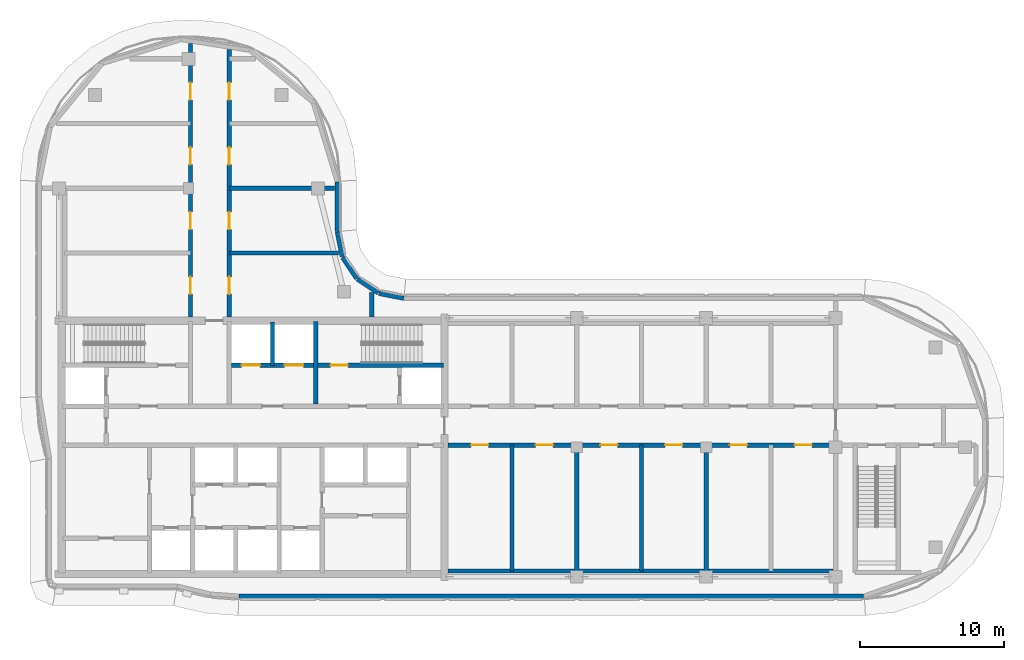
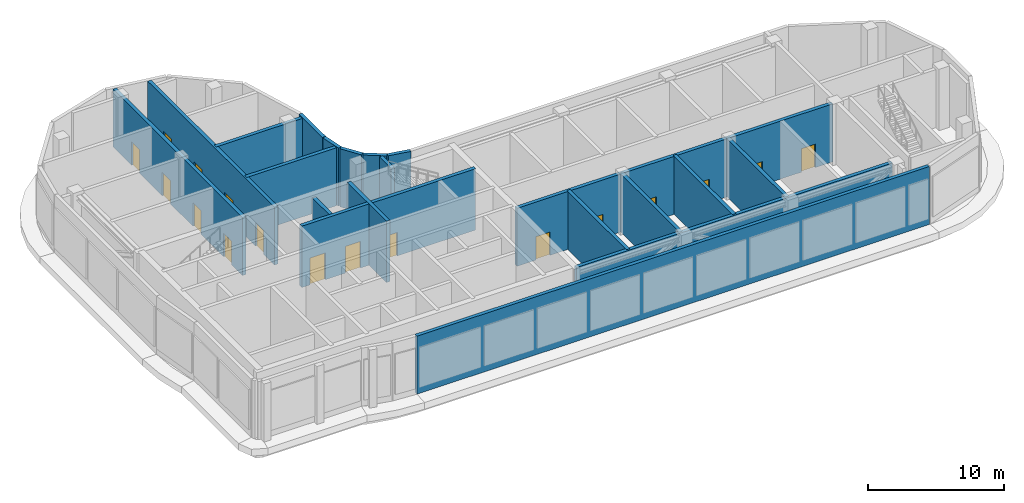
# One storey, part 3 of 14: 20 walls, 17 doors, 17 openings.
"""IFC4 building model written with IfcOpenShell, lengths in metres."""

from ifc_helpers import new_model, si_unit, direction, frame, frame_2d, origin, place, context, subcontext, project, spatial, rectangle, extrude, material, layer, layer_set, type_object, element, fill, save


model = new_model("IFC4")

# Units and contexts
model_context = context("Model", 3, precision=1e-05, world=origin(), true_north=direction((0.0, 1.0)))
body_context = subcontext(model_context, "Body", "Model", "MODEL_VIEW")
ifc_project = project(units=[si_unit("LENGTHUNIT", "METRE"), si_unit("AREAUNIT", "SQUARE_METRE"), si_unit("VOLUMEUNIT", "CUBIC_METRE"), si_unit("PLANEANGLEUNIT", "RADIAN"), si_unit("MASSUNIT", "GRAM", prefix="KILO")], contexts=[model_context])

# Site, building, storey
site_placement = place(None, origin())
site = spatial("IfcSite", under=ifc_project, at=site_placement, CompositionType="ELEMENT")
building_placement = place(site_placement, origin())
building = spatial("IfcBuilding", under=site, at=building_placement, Name="Ogive Portal Towers", CompositionType="ELEMENT")
storey_placement = place(building_placement, frame((0.0, 0.0, 243.89990234375)))
storey = spatial("IfcBuildingStorey", under=building, at=storey_placement, Name="L61", CompositionType="ELEMENT", Elevation=243.89990234375)

# Wall, openings, doors
ifc_material_1 = material(Name="Concrete C60/75", Category="concrete")
ifc_layer_1 = layer(ifc_material_1, 0.300048828125)
ifc_layer_set_1 = layer_set([ifc_layer_1], Name="CORE WALL 300 C60")
wall_type_1 = type_object("IfcWallType", Name="CORE WALL 300 C60", PredefinedType="SHEAR", material=ifc_layer_set_1)
wall_1_placement = place(storey_placement, frame((43.5, 36.199951171875, 0.0), z_axis=(0.0, 0.0, 1.0), x_axis=(1.0, 0.0, 0.0)))
wall_1 = element("IfcWall", 1, at=wall_1_placement, inside=storey, type_object=wall_type_1, Name="Core wall Y3b L61", PredefinedType="SHEAR", context=body_context, shape_type="SweptSolid", body=[
    extrude(rectangle(XDim=14.75, YDim=0.300048828125, at=frame_2d((7.375, 0.0))), origin(), (0.0, 0.0, 1.0), 5.5),
])
opening_1_placement = place(wall_1_placement, frame((6.89990234375, 0.0, 0.0)))
opening_1 = element("IfcOpeningElement", 2, at=opening_1_placement, cuts=wall_1, Name="Opening D27-006", PredefinedType="OPENING", context=body_context, shape_type="SweptSolid", body=[
    extrude(rectangle(XDim=1.199951171875, YDim=2.10009765625, at=frame_2d((0.60009765625, 1.050048828125))), frame((0.0, 0.16015625, 0.0), z_axis=(0.0, -1.0, 0.0), x_axis=(1.0, 0.0, 0.0)), (0.0, 0.0, 1.0), 0.320068359375),
])
opening_2_placement = place(wall_1_placement, frame((0.699951171875, 0.0, 0.0)))
opening_2 = element("IfcOpeningElement", 3, at=opening_2_placement, cuts=wall_1, Name="Opening D27-016", PredefinedType="OPENING", context=body_context, shape_type="SweptSolid", body=[
    extrude(rectangle(XDim=1.300048828125, YDim=2.39990234375, at=frame_2d((0.64990234375, 1.199951171875))), frame((0.0, 0.16015625, 0.0), z_axis=(0.0, -1.0, 0.0), x_axis=(1.0, 0.0, 0.0)), (0.0, 0.0, 1.0), 0.320068359375),
])
opening_3_placement = place(wall_1_placement, frame((3.699951171875, 0.0, 0.0)))
opening_3 = element("IfcOpeningElement", 4, at=opening_3_placement, cuts=wall_1, Name="Opening D27-017", PredefinedType="OPENING", context=body_context, shape_type="SweptSolid", body=[
    extrude(rectangle(XDim=1.300048828125, YDim=2.39990234375, at=frame_2d((0.64990234375, 1.199951171875))), frame((0.0, 0.16015625, 0.0), z_axis=(0.0, -1.0, 0.0), x_axis=(1.0, 0.0, 0.0)), (0.0, 0.0, 1.0), 0.320068359375),
])
ifc_material_2 = material(Name="Stainless steel", Category="steel")
door_type_1 = type_object("IfcDoorType", Name="DT-LD-1300x2400", OperationType="SLIDING_TO_LEFT", PredefinedType="DOOR", material=ifc_material_2)
door_1_placement = place(opening_2_placement, origin())
door_1 = element("IfcDoor", 5, at=door_1_placement, inside=storey, type_object=door_type_1, Name="Door D27-016", OperationType="SLIDING_TO_LEFT", OverallHeight=2.39990234375, OverallWidth=1.300048828125, PredefinedType="DOOR", context=body_context, shape_type="SweptSolid", body=[
    extrude(rectangle(XDim=1.300048828125, YDim=2.39990234375, at=frame_2d((0.64990234375, 1.199951171875))), frame((0.0, 0.02490234375, 0.0), z_axis=(0.0, -1.0, 0.0), x_axis=(1.0, 0.0, 0.0)), (0.0, 0.0, 1.0), 0.050048828125),
])
fill(opening_2, door_1)
door_2_placement = place(opening_3_placement, origin())
door_2 = element("IfcDoor", 6, at=door_2_placement, inside=storey, type_object=door_type_1, Name="Door D27-017", OperationType="SLIDING_TO_LEFT", OverallHeight=2.39990234375, OverallWidth=1.300048828125, PredefinedType="DOOR", context=body_context, shape_type="SweptSolid", body=[
    extrude(rectangle(XDim=1.300048828125, YDim=2.39990234375, at=frame_2d((0.64990234375, 1.199951171875))), frame((0.0, 0.02490234375, 0.0), z_axis=(0.0, -1.0, 0.0), x_axis=(1.0, 0.0, 0.0)), (0.0, 0.0, 1.0), 0.050048828125),
])
fill(opening_3, door_2)
ifc_material_3 = material(Name="Steel fire door", Category="steel")
door_type_2 = type_object("IfcDoorType", Name="DT-SWING-1200x2100-FD90S", OperationType="SINGLE_SWING_LEFT", PredefinedType="DOOR", material=ifc_material_3)
door_3_placement = place(opening_1_placement, origin())
door_3 = element("IfcDoor", 7, at=door_3_placement, inside=storey, type_object=door_type_2, Name="Door D27-006", OperationType="SINGLE_SWING_LEFT", OverallHeight=2.10009765625, OverallWidth=1.199951171875, PredefinedType="DOOR", context=body_context, shape_type="SweptSolid", body=[
    extrude(rectangle(XDim=1.199951171875, YDim=2.10009765625, at=frame_2d((0.60009765625, 1.050048828125))), frame((0.0, 0.02490234375, 0.0), z_axis=(0.0, -1.0, 0.0), x_axis=(1.0, 0.0, 0.0)), (0.0, 0.0, 1.0), 0.050048828125),
])
fill(opening_1, door_3)

# Walls
wall_2_placement = place(storey_placement, frame((49.35009765625, 33.5, 0.0), z_axis=(0.0, 0.0, 1.0), x_axis=(0.0, 1.0, 0.0)))
element("IfcWall", 8, at=wall_2_placement, inside=storey, type_object=wall_type_1, Name="Core wall X9 L61", PredefinedType="SHEAR", context=body_context, shape_type="SweptSolid", body=[
    extrude(rectangle(XDim=5.75, YDim=0.300048828125, at=frame_2d((2.875, 0.0))), origin(), (0.0, 0.0, 1.0), 5.5),
])
ifc_material_4 = material(Name="Limestone cladding on lightweight block wall", Category="masonry")
ifc_layer_2 = layer(ifc_material_4, 0.300048828125)
ifc_layer_set_2 = layer_set([ifc_layer_2], Name="EXTERNAL WALL 300 STONE")
wall_type_2 = type_object("IfcWallType", Name="EXTERNAL WALL 300 STONE", PredefinedType="SOLIDWALL", material=ifc_layer_set_2)
wall_3_placement = place(storey_placement, frame((44.0107421875, 20.14990234375, 0.0), z_axis=(0.0, 0.0, 1.0), x_axis=(1.0, 0.0, 0.0)))
element("IfcWall", 9, at=wall_3_placement, inside=storey, type_object=wall_type_2, Name="A:L61:f06:r0:wall", PredefinedType="SOLIDWALL", context=body_context, shape_type="SweptSolid", body=[
    extrude(rectangle(XDim=43.438232421875, YDim=0.300048828125, at=frame_2d((21.71923828125, 0.0))), origin(), (0.0, 0.0, 1.0), 5.2001953125),
])
wall_4_placement = place(storey_placement, frame((55.470703125, 40.852783203125, 0.0), z_axis=(0.0, 0.0, 1.0), x_axis=(-0.980783389265, 0.19509982917, 0.0)))
element("IfcWall", 10, at=wall_4_placement, inside=storey, type_object=wall_type_2, Name="A:L61:f13:r0:wall", PredefinedType="SOLIDWALL", context=body_context, shape_type="SweptSolid", body=[
    extrude(rectangle(XDim=1.755615234375, YDim=0.300048828125, at=frame_2d((0.8779296875, 0.0))), origin(), (0.0, 0.0, 1.0), 5.2001953125),
])
for number, where, z_axis, x_axis, name in (
    (11, (53.694580078125, 41.2177734375, 0.0), (0.0, 0.0, 1.0), (-0.831450873773, 0.555598276187, 0.0), "A:L61:f14:r0:wall"),
    (12, (52.193359375, 42.234619140625, 0.0), (0.0, 0.0, 1.0), (-0.555598276187, 0.831450873773, 0.0), "A:L61:f15:r0:wall"),
):
    element("IfcWall", number, at=place(storey_placement, frame(where, z_axis=z_axis, x_axis=x_axis)), inside=storey, type_object=wall_type_2, Name=name, PredefinedType="SOLIDWALL", context=body_context, shape_type="SweptSolid", body=[
        extrude(rectangle(XDim=1.755859375, YDim=0.300048828125, at=frame_2d((0.8779296875, 0.0))), origin(), (0.0, 0.0, 1.0), 5.2001953125),
    ])
wall_5_placement = place(storey_placement, frame((51.1953125, 43.748779296875, 0.0), z_axis=(0.0, 0.0, 1.0), x_axis=(-0.19509982917, 0.980783389265, 0.0)))
element("IfcWall", 13, at=wall_5_placement, inside=storey, type_object=wall_type_2, Name="A:L61:f16:r0:wall", PredefinedType="SOLIDWALL", context=body_context, shape_type="SweptSolid", body=[
    extrude(rectangle(XDim=1.755615234375, YDim=0.300048828125, at=frame_2d((0.8779296875, 0.0))), origin(), (0.0, 0.0, 1.0), 5.2001953125),
])
wall_6_placement = place(storey_placement, frame((50.85009765625, 45.5, 0.0), z_axis=(0.0, 0.0, 1.0), x_axis=(0.0, 1.0, 0.0)))
element("IfcWall", 14, at=wall_6_placement, inside=storey, type_object=wall_type_2, Name="A:L61:f17:r0:wall", PredefinedType="SOLIDWALL", context=body_context, shape_type="SweptSolid", body=[
    extrude(rectangle(XDim=3.45556640625, YDim=0.300048828125, at=frame_2d((1.727783203125, 0.0))), origin(), (0.0, 0.0, 1.0), 5.2001953125),
])

# Wall, openings, doors
ifc_material_5 = material(Name="Gypsum board partition on steel studs", Category="steel")
ifc_layer_3 = layer(ifc_material_5, 0.300048828125)
ifc_layer_set_3 = layer_set([ifc_layer_3], Name="WT-PART-300-EI 120")
wall_type_3 = type_object("IfcWallType", Name="WT-PART-300-EI 120", PredefinedType="PARTITIONING", material=ifc_layer_set_3)
wall_7_placement = place(storey_placement, frame((58.550048828125, 30.64990234375, 0.0), z_axis=(0.0, 0.0, 1.0), x_axis=(1.0, 0.0, 0.0)))
wall_7 = element("IfcWall", 15, at=wall_7_placement, inside=storey, type_object=wall_type_3, Name="Wall L61:w003", PredefinedType="PARTITIONING", context=body_context, shape_type="SweptSolid", body=[
    extrude(rectangle(XDim=26.780029296875, YDim=0.300048828125, at=frame_2d((13.39013671875, 0.0))), origin(), (0.0, 0.0, 1.0), 5.2001953125),
])
opening_4_placement = place(wall_7_placement, frame((1.60009765625, 0.0, 0.0)))
opening_4 = element("IfcOpeningElement", 16, at=opening_4_placement, cuts=wall_7, Name="Opening D27-027", PredefinedType="OPENING", context=body_context, shape_type="SweptSolid", body=[
    extrude(rectangle(XDim=1.199951171875, YDim=2.10009765625, at=frame_2d((0.60009765625, 1.050048828125))), frame((0.0, 0.16015625, 0.0), z_axis=(0.0, -1.0, 0.0), x_axis=(1.0, 0.0, 0.0)), (0.0, 0.0, 1.0), 0.320068359375),
])
opening_5_placement = place(wall_7_placement, frame((6.10009765625, 0.0, 0.0)))
opening_5 = element("IfcOpeningElement", 17, at=opening_5_placement, cuts=wall_7, Name="Opening D27-028", PredefinedType="OPENING", context=body_context, shape_type="SweptSolid", body=[
    extrude(rectangle(XDim=1.199951171875, YDim=2.10009765625, at=frame_2d((0.60009765625, 1.050048828125))), frame((0.0, 0.16015625, 0.0), z_axis=(0.0, -1.0, 0.0), x_axis=(1.0, 0.0, 0.0)), (0.0, 0.0, 1.0), 0.320068359375),
])
opening_6_placement = place(wall_7_placement, frame((10.60009765625, 0.0, 0.0)))
opening_6 = element("IfcOpeningElement", 18, at=opening_6_placement, cuts=wall_7, Name="Opening D27-031", PredefinedType="OPENING", context=body_context, shape_type="SweptSolid", body=[
    extrude(rectangle(XDim=1.199951171875, YDim=2.10009765625, at=frame_2d((0.60009765625, 1.050048828125))), frame((0.0, 0.16015625, 0.0), z_axis=(0.0, -1.0, 0.0), x_axis=(1.0, 0.0, 0.0)), (0.0, 0.0, 1.0), 0.320068359375),
])
opening_7_placement = place(wall_7_placement, frame((15.10009765625, 0.0, 0.0)))
opening_7 = element("IfcOpeningElement", 19, at=opening_7_placement, cuts=wall_7, Name="Opening D27-032", PredefinedType="OPENING", context=body_context, shape_type="SweptSolid", body=[
    extrude(rectangle(XDim=1.199951171875, YDim=2.10009765625, at=frame_2d((0.60009765625, 1.050048828125))), frame((0.0, 0.16015625, 0.0), z_axis=(0.0, -1.0, 0.0), x_axis=(1.0, 0.0, 0.0)), (0.0, 0.0, 1.0), 0.320068359375),
])
opening_8_placement = place(wall_7_placement, frame((19.60009765625, 0.0, 0.0)))
opening_8 = element("IfcOpeningElement", 20, at=opening_8_placement, cuts=wall_7, Name="Opening D27-035", PredefinedType="OPENING", context=body_context, shape_type="SweptSolid", body=[
    extrude(rectangle(XDim=1.199951171875, YDim=2.10009765625, at=frame_2d((0.60009765625, 1.050048828125))), frame((0.0, 0.16015625, 0.0), z_axis=(0.0, -1.0, 0.0), x_axis=(1.0, 0.0, 0.0)), (0.0, 0.0, 1.0), 0.320068359375),
])
opening_9_placement = place(wall_7_placement, frame((24.10009765625, 0.0, 0.0)))
opening_9 = element("IfcOpeningElement", 21, at=opening_9_placement, cuts=wall_7, Name="Opening D27-036", PredefinedType="OPENING", context=body_context, shape_type="SweptSolid", body=[
    extrude(rectangle(XDim=1.199951171875, YDim=2.10009765625, at=frame_2d((0.60009765625, 1.050048828125))), frame((0.0, 0.16015625, 0.0), z_axis=(0.0, -1.0, 0.0), x_axis=(1.0, 0.0, 0.0)), (0.0, 0.0, 1.0), 0.320068359375),
])
door_type_3 = type_object("IfcDoorType", Name="DT-ENTRY-1200x2100-FD90S", OperationType="SINGLE_SWING_LEFT", PredefinedType="DOOR", material=ifc_material_3)
door_4_placement = place(opening_4_placement, origin())
door_4 = element("IfcDoor", 22, at=door_4_placement, inside=storey, type_object=door_type_3, Name="Door D27-027", OperationType="SINGLE_SWING_RIGHT", OverallHeight=2.10009765625, OverallWidth=1.199951171875, PredefinedType="DOOR", context=body_context, shape_type="SweptSolid", body=[
    extrude(rectangle(XDim=1.199951171875, YDim=2.10009765625, at=frame_2d((0.60009765625, 1.050048828125))), frame((0.0, 0.02490234375, 0.0), z_axis=(0.0, -1.0, 0.0), x_axis=(1.0, 0.0, 0.0)), (0.0, 0.0, 1.0), 0.050048828125),
])
fill(opening_4, door_4)
door_5_placement = place(opening_5_placement, origin())
door_5 = element("IfcDoor", 23, at=door_5_placement, inside=storey, type_object=door_type_3, Name="Door D27-028", OperationType="SINGLE_SWING_LEFT", OverallHeight=2.10009765625, OverallWidth=1.199951171875, PredefinedType="DOOR", context=body_context, shape_type="SweptSolid", body=[
    extrude(rectangle(XDim=1.199951171875, YDim=2.10009765625, at=frame_2d((0.60009765625, 1.050048828125))), frame((0.0, 0.02490234375, 0.0), z_axis=(0.0, -1.0, 0.0), x_axis=(1.0, 0.0, 0.0)), (0.0, 0.0, 1.0), 0.050048828125),
])
fill(opening_5, door_5)
door_6_placement = place(opening_6_placement, origin())
door_6 = element("IfcDoor", 24, at=door_6_placement, inside=storey, type_object=door_type_3, Name="Door D27-031", OperationType="SINGLE_SWING_LEFT", OverallHeight=2.10009765625, OverallWidth=1.199951171875, PredefinedType="DOOR", context=body_context, shape_type="SweptSolid", body=[
    extrude(rectangle(XDim=1.199951171875, YDim=2.10009765625, at=frame_2d((0.60009765625, 1.050048828125))), frame((0.0, 0.02490234375, 0.0), z_axis=(0.0, -1.0, 0.0), x_axis=(1.0, 0.0, 0.0)), (0.0, 0.0, 1.0), 0.050048828125),
])
fill(opening_6, door_6)
door_7_placement = place(opening_7_placement, origin())
door_7 = element("IfcDoor", 25, at=door_7_placement, inside=storey, type_object=door_type_3, Name="Door D27-032", OperationType="SINGLE_SWING_LEFT", OverallHeight=2.10009765625, OverallWidth=1.199951171875, PredefinedType="DOOR", context=body_context, shape_type="SweptSolid", body=[
    extrude(rectangle(XDim=1.199951171875, YDim=2.10009765625, at=frame_2d((0.60009765625, 1.050048828125))), frame((0.0, 0.02490234375, 0.0), z_axis=(0.0, -1.0, 0.0), x_axis=(1.0, 0.0, 0.0)), (0.0, 0.0, 1.0), 0.050048828125),
])
fill(opening_7, door_7)
door_8_placement = place(opening_8_placement, origin())
door_8 = element("IfcDoor", 26, at=door_8_placement, inside=storey, type_object=door_type_3, Name="Door D27-035", OperationType="SINGLE_SWING_LEFT", OverallHeight=2.10009765625, OverallWidth=1.199951171875, PredefinedType="DOOR", context=body_context, shape_type="SweptSolid", body=[
    extrude(rectangle(XDim=1.199951171875, YDim=2.10009765625, at=frame_2d((0.60009765625, 1.050048828125))), frame((0.0, 0.02490234375, 0.0), z_axis=(0.0, -1.0, 0.0), x_axis=(1.0, 0.0, 0.0)), (0.0, 0.0, 1.0), 0.050048828125),
])
fill(opening_8, door_8)
door_9_placement = place(opening_9_placement, origin())
door_9 = element("IfcDoor", 27, at=door_9_placement, inside=storey, type_object=door_type_3, Name="Door D27-036", OperationType="SINGLE_SWING_RIGHT", OverallHeight=2.10009765625, OverallWidth=1.199951171875, PredefinedType="DOOR", context=body_context, shape_type="SweptSolid", body=[
    extrude(rectangle(XDim=1.199951171875, YDim=2.10009765625, at=frame_2d((0.60009765625, 1.050048828125))), frame((0.0, 0.02490234375, 0.0), z_axis=(0.0, -1.0, 0.0), x_axis=(1.0, 0.0, 0.0)), (0.0, 0.0, 1.0), 0.050048828125),
])
fill(opening_9, door_9)

# Walls
ifc_layer_4 = layer(ifc_material_5, 0.300048828125)
ifc_layer_set_4 = layer_set([ifc_layer_4], Name="WT-PART-300-EI 60")
wall_type_4 = type_object("IfcWallType", Name="WT-PART-300-EI 60", PredefinedType="PARTITIONING", material=ifc_layer_set_4)
wall_8_placement = place(storey_placement, frame((58.550048828125, 21.89990234375, 0.0), z_axis=(0.0, 0.0, 1.0), x_axis=(1.0, 0.0, 0.0)))
element("IfcWall", 28, at=wall_8_placement, inside=storey, type_object=wall_type_4, Name="Wall L61:w002", PredefinedType="PARTITIONING", context=body_context, shape_type="SweptSolid", body=[
    extrude(rectangle(XDim=26.780029296875, YDim=0.300048828125, at=frame_2d((13.39013671875, 0.0))), origin(), (0.0, 0.0, 1.0), 5.2001953125),
])
wall_9_placement = place(storey_placement, frame((43.35009765625, 44.0, 0.0), z_axis=(0.0, 0.0, 1.0), x_axis=(1.0, 0.0, 0.0)))
element("IfcWall", 29, at=wall_9_placement, inside=storey, type_object=wall_type_4, Name="Wall L61:w009", PredefinedType="PARTITIONING", context=body_context, shape_type="SweptSolid", body=[
    extrude(rectangle(XDim=7.591796875, YDim=0.300048828125, at=frame_2d((3.7958984375, 0.0))), origin(), (0.0, 0.0, 1.0), 5.2001953125),
])
wall_10_placement = place(storey_placement, frame((43.35009765625, 48.5, 0.0), z_axis=(0.0, 0.0, 1.0), x_axis=(1.0, 0.0, 0.0)))
element("IfcWall", 30, at=wall_10_placement, inside=storey, type_object=wall_type_4, Name="Wall L61:w011", PredefinedType="PARTITIONING", context=body_context, shape_type="SweptSolid", body=[
    extrude(rectangle(XDim=7.2998046875, YDim=0.300048828125, at=frame_2d((3.64990234375, 0.0))), origin(), (0.0, 0.0, 1.0), 5.2001953125),
])

# Wall, openings, doors
wall_11_placement = place(storey_placement, frame((40.64990234375, 39.550048828125, 0.0), z_axis=(0.0, 0.0, 1.0), x_axis=(0.0, 1.0, 0.0)))
wall_11 = element("IfcWall", 31, at=wall_11_placement, inside=storey, type_object=wall_type_4, Name="Wall L61:w018", PredefinedType="PARTITIONING", context=body_context, shape_type="SweptSolid", body=[
    extrude(rectangle(XDim=19.0, YDim=0.300048828125, at=frame_2d((9.5, 0.0))), origin(), (0.0, 0.0, 1.0), 5.2001953125),
])
opening_10_placement = place(wall_11_placement, frame((1.60009765625, 0.0, 0.0)))
opening_10 = element("IfcOpeningElement", 32, at=opening_10_placement, cuts=wall_11, Name="Opening D27-039", PredefinedType="OPENING", context=body_context, shape_type="SweptSolid", body=[
    extrude(rectangle(XDim=1.199951171875, YDim=2.10009765625, at=frame_2d((0.60009765625, 1.050048828125))), frame((0.0, 0.16015625, 0.0), z_axis=(0.0, -1.0, 0.0), x_axis=(1.0, 0.0, 0.0)), (0.0, 0.0, 1.0), 0.320068359375),
])
opening_11_placement = place(wall_11_placement, frame((6.10009765625, 0.0, 0.0)))
opening_11 = element("IfcOpeningElement", 33, at=opening_11_placement, cuts=wall_11, Name="Opening D27-040", PredefinedType="OPENING", context=body_context, shape_type="SweptSolid", body=[
    extrude(rectangle(XDim=1.199951171875, YDim=2.10009765625, at=frame_2d((0.60009765625, 1.050048828125))), frame((0.0, 0.16015625, 0.0), z_axis=(0.0, -1.0, 0.0), x_axis=(1.0, 0.0, 0.0)), (0.0, 0.0, 1.0), 0.320068359375),
])
opening_12_placement = place(wall_11_placement, frame((10.60009765625, 0.0, 0.0)))
opening_12 = element("IfcOpeningElement", 34, at=opening_12_placement, cuts=wall_11, Name="Opening D27-043", PredefinedType="OPENING", context=body_context, shape_type="SweptSolid", body=[
    extrude(rectangle(XDim=1.199951171875, YDim=2.10009765625, at=frame_2d((0.60009765625, 1.050048828125))), frame((0.0, 0.16015625, 0.0), z_axis=(0.0, -1.0, 0.0), x_axis=(1.0, 0.0, 0.0)), (0.0, 0.0, 1.0), 0.320068359375),
])
opening_13_placement = place(wall_11_placement, frame((15.10009765625, 0.0, 0.0)))
opening_13 = element("IfcOpeningElement", 35, at=opening_13_placement, cuts=wall_11, Name="Opening D27-044", PredefinedType="OPENING", context=body_context, shape_type="SweptSolid", body=[
    extrude(rectangle(XDim=1.199951171875, YDim=2.10009765625, at=frame_2d((0.60009765625, 1.050048828125))), frame((0.0, 0.16015625, 0.0), z_axis=(0.0, -1.0, 0.0), x_axis=(1.0, 0.0, 0.0)), (0.0, 0.0, 1.0), 0.320068359375),
])
door_type_4 = type_object("IfcDoorType", Name="DT-ENTRY-1200x2100-FD60S", OperationType="SINGLE_SWING_LEFT", PredefinedType="DOOR", material=ifc_material_3)
door_10_placement = place(opening_10_placement, origin())
door_10 = element("IfcDoor", 36, at=door_10_placement, inside=storey, type_object=door_type_4, Name="Door D27-039", OperationType="SINGLE_SWING_RIGHT", OverallHeight=2.10009765625, OverallWidth=1.199951171875, PredefinedType="DOOR", context=body_context, shape_type="SweptSolid", body=[
    extrude(rectangle(XDim=1.199951171875, YDim=2.10009765625, at=frame_2d((0.60009765625, 1.050048828125))), frame((0.0, 0.02490234375, 0.0), z_axis=(0.0, -1.0, 0.0), x_axis=(1.0, 0.0, 0.0)), (0.0, 0.0, 1.0), 0.050048828125),
])
fill(opening_10, door_10)
door_11_placement = place(opening_11_placement, origin())
door_11 = element("IfcDoor", 37, at=door_11_placement, inside=storey, type_object=door_type_4, Name="Door D27-040", OperationType="SINGLE_SWING_LEFT", OverallHeight=2.10009765625, OverallWidth=1.199951171875, PredefinedType="DOOR", context=body_context, shape_type="SweptSolid", body=[
    extrude(rectangle(XDim=1.199951171875, YDim=2.10009765625, at=frame_2d((0.60009765625, 1.050048828125))), frame((0.0, 0.02490234375, 0.0), z_axis=(0.0, -1.0, 0.0), x_axis=(1.0, 0.0, 0.0)), (0.0, 0.0, 1.0), 0.050048828125),
])
fill(opening_11, door_11)
door_12_placement = place(opening_12_placement, origin())
door_12 = element("IfcDoor", 38, at=door_12_placement, inside=storey, type_object=door_type_4, Name="Door D27-043", OperationType="SINGLE_SWING_LEFT", OverallHeight=2.10009765625, OverallWidth=1.199951171875, PredefinedType="DOOR", context=body_context, shape_type="SweptSolid", body=[
    extrude(rectangle(XDim=1.199951171875, YDim=2.10009765625, at=frame_2d((0.60009765625, 1.050048828125))), frame((0.0, 0.02490234375, 0.0), z_axis=(0.0, -1.0, 0.0), x_axis=(1.0, 0.0, 0.0)), (0.0, 0.0, 1.0), 0.050048828125),
])
fill(opening_12, door_12)
door_13_placement = place(opening_13_placement, origin())
door_13 = element("IfcDoor", 39, at=door_13_placement, inside=storey, type_object=door_type_4, Name="Door D27-044", OperationType="SINGLE_SWING_LEFT", OverallHeight=2.10009765625, OverallWidth=1.199951171875, PredefinedType="DOOR", context=body_context, shape_type="SweptSolid", body=[
    extrude(rectangle(XDim=1.199951171875, YDim=2.10009765625, at=frame_2d((0.60009765625, 1.050048828125))), frame((0.0, 0.02490234375, 0.0), z_axis=(0.0, -1.0, 0.0), x_axis=(1.0, 0.0, 0.0)), (0.0, 0.0, 1.0), 0.050048828125),
])
fill(opening_13, door_13)

wall_12_placement = place(storey_placement, frame((43.35009765625, 39.550048828125, 0.0), z_axis=(0.0, 0.0, 1.0), x_axis=(0.0, 1.0, 0.0)))
wall_12 = element("IfcWall", 40, at=wall_12_placement, inside=storey, type_object=wall_type_4, Name="Wall L61:w019", PredefinedType="PARTITIONING", context=body_context, shape_type="SweptSolid", body=[
    extrude(rectangle(XDim=18.61083984375, YDim=0.300048828125, at=frame_2d((9.305419921875, 0.0))), origin(), (0.0, 0.0, 1.0), 5.2001953125),
])
opening_14_placement = place(wall_12_placement, frame((1.60009765625, 0.0, 0.0)))
opening_14 = element("IfcOpeningElement", 41, at=opening_14_placement, cuts=wall_12, Name="Opening D27-037", PredefinedType="OPENING", context=body_context, shape_type="SweptSolid", body=[
    extrude(rectangle(XDim=1.199951171875, YDim=2.10009765625, at=frame_2d((0.60009765625, 1.050048828125))), frame((0.0, 0.16015625, 0.0), z_axis=(0.0, -1.0, 0.0), x_axis=(1.0, 0.0, 0.0)), (0.0, 0.0, 1.0), 0.320068359375),
])
opening_15_placement = place(wall_12_placement, frame((6.10009765625, 0.0, 0.0)))
opening_15 = element("IfcOpeningElement", 42, at=opening_15_placement, cuts=wall_12, Name="Opening D27-038", PredefinedType="OPENING", context=body_context, shape_type="SweptSolid", body=[
    extrude(rectangle(XDim=1.199951171875, YDim=2.10009765625, at=frame_2d((0.60009765625, 1.050048828125))), frame((0.0, 0.16015625, 0.0), z_axis=(0.0, -1.0, 0.0), x_axis=(1.0, 0.0, 0.0)), (0.0, 0.0, 1.0), 0.320068359375),
])
opening_16_placement = place(wall_12_placement, frame((10.60009765625, 0.0, 0.0)))
opening_16 = element("IfcOpeningElement", 43, at=opening_16_placement, cuts=wall_12, Name="Opening D27-041", PredefinedType="OPENING", context=body_context, shape_type="SweptSolid", body=[
    extrude(rectangle(XDim=1.199951171875, YDim=2.10009765625, at=frame_2d((0.60009765625, 1.050048828125))), frame((0.0, 0.16015625, 0.0), z_axis=(0.0, -1.0, 0.0), x_axis=(1.0, 0.0, 0.0)), (0.0, 0.0, 1.0), 0.320068359375),
])
opening_17_placement = place(wall_12_placement, frame((15.10009765625, 0.0, 0.0)))
opening_17 = element("IfcOpeningElement", 44, at=opening_17_placement, cuts=wall_12, Name="Opening D27-042", PredefinedType="OPENING", context=body_context, shape_type="SweptSolid", body=[
    extrude(rectangle(XDim=1.199951171875, YDim=2.10009765625, at=frame_2d((0.60009765625, 1.050048828125))), frame((0.0, 0.16015625, 0.0), z_axis=(0.0, -1.0, 0.0), x_axis=(1.0, 0.0, 0.0)), (0.0, 0.0, 1.0), 0.320068359375),
])
door_14_placement = place(opening_14_placement, origin())
door_14 = element("IfcDoor", 45, at=door_14_placement, inside=storey, type_object=door_type_4, Name="Door D27-037", OperationType="SINGLE_SWING_LEFT", OverallHeight=2.10009765625, OverallWidth=1.199951171875, PredefinedType="DOOR", context=body_context, shape_type="SweptSolid", body=[
    extrude(rectangle(XDim=1.199951171875, YDim=2.10009765625, at=frame_2d((0.60009765625, 1.050048828125))), frame((0.0, 0.02490234375, 0.0), z_axis=(0.0, -1.0, 0.0), x_axis=(1.0, 0.0, 0.0)), (0.0, 0.0, 1.0), 0.050048828125),
])
fill(opening_14, door_14)
door_15_placement = place(opening_15_placement, origin())
door_15 = element("IfcDoor", 46, at=door_15_placement, inside=storey, type_object=door_type_4, Name="Door D27-038", OperationType="SINGLE_SWING_LEFT", OverallHeight=2.10009765625, OverallWidth=1.199951171875, PredefinedType="DOOR", context=body_context, shape_type="SweptSolid", body=[
    extrude(rectangle(XDim=1.199951171875, YDim=2.10009765625, at=frame_2d((0.60009765625, 1.050048828125))), frame((0.0, 0.02490234375, 0.0), z_axis=(0.0, -1.0, 0.0), x_axis=(1.0, 0.0, 0.0)), (0.0, 0.0, 1.0), 0.050048828125),
])
fill(opening_15, door_15)
door_16_placement = place(opening_16_placement, origin())
door_16 = element("IfcDoor", 47, at=door_16_placement, inside=storey, type_object=door_type_4, Name="Door D27-041", OperationType="SINGLE_SWING_LEFT", OverallHeight=2.10009765625, OverallWidth=1.199951171875, PredefinedType="DOOR", context=body_context, shape_type="SweptSolid", body=[
    extrude(rectangle(XDim=1.199951171875, YDim=2.10009765625, at=frame_2d((0.60009765625, 1.050048828125))), frame((0.0, 0.02490234375, 0.0), z_axis=(0.0, -1.0, 0.0), x_axis=(1.0, 0.0, 0.0)), (0.0, 0.0, 1.0), 0.050048828125),
])
fill(opening_16, door_16)
door_17_placement = place(opening_17_placement, origin())
door_17 = element("IfcDoor", 48, at=door_17_placement, inside=storey, type_object=door_type_4, Name="Door D27-042", OperationType="SINGLE_SWING_RIGHT", OverallHeight=2.10009765625, OverallWidth=1.199951171875, PredefinedType="DOOR", context=body_context, shape_type="SweptSolid", body=[
    extrude(rectangle(XDim=1.199951171875, YDim=2.10009765625, at=frame_2d((0.60009765625, 1.050048828125))), frame((0.0, 0.02490234375, 0.0), z_axis=(0.0, -1.0, 0.0), x_axis=(1.0, 0.0, 0.0)), (0.0, 0.0, 1.0), 0.050048828125),
])
fill(opening_17, door_17)

# Walls
wall_13_placement = place(storey_placement, frame((53.25, 39.550048828125, 0.0), z_axis=(0.0, 0.0, 1.0), x_axis=(0.0, 1.0, 0.0)))
element("IfcWall", 49, at=wall_13_placement, inside=storey, type_object=wall_type_4, Name="Wall L61:w020", PredefinedType="PARTITIONING", context=body_context, shape_type="SweptSolid", body=[
    extrude(rectangle(XDim=1.723876953125, YDim=0.300048828125, at=frame_2d((0.86181640625, 0.0))), origin(), (0.0, 0.0, 1.0), 5.2001953125),
])
for number, where, z_axis, x_axis, name in (
    (50, (63.0, 21.89990234375, 0.0), (0.0, 0.0, 1.0), (0.0, 1.0, 0.0), "Wall L61:w021"),
    (51, (67.5, 21.89990234375, 0.0), (0.0, 0.0, 1.0), (0.0, 1.0, 0.0), "Wall L61:w023"),
    (52, (72.0, 21.89990234375, 0.0), (0.0, 0.0, 1.0), (0.0, 1.0, 0.0), "Wall L61:w025"),
    (53, (76.5, 21.89990234375, 0.0), (0.0, 0.0, 1.0), (0.0, 1.0, 0.0), "Wall L61:w027"),
):
    element("IfcWall", number, at=place(storey_placement, frame(where, z_axis=z_axis, x_axis=x_axis)), inside=storey, type_object=wall_type_4, Name=name, PredefinedType="PARTITIONING", context=body_context, shape_type="SweptSolid", body=[
        extrude(rectangle(XDim=8.75, YDim=0.300048828125, at=frame_2d((4.375, 0.0))), origin(), (0.0, 0.0, 1.0), 5.2001953125),
    ])
ifc_material_6 = material(Name="Concrete C40/50", Category="concrete")
ifc_layer_5 = layer(ifc_material_6, 0.300048828125)
ifc_layer_set_5 = layer_set([ifc_layer_5], Name="WT-SHAFT-300")
wall_type_5 = type_object("IfcWallType", Name="WT-SHAFT-300", PredefinedType="SOLIDWALL", material=ifc_layer_set_5)
wall_14_placement = place(storey_placement, frame((46.35009765625, 36.199951171875, 0.0), z_axis=(0.0, 0.0, 1.0), x_axis=(0.0, 1.0, 0.0)))
element("IfcWall", 54, at=wall_14_placement, inside=storey, type_object=wall_type_5, Name="Wall pw:009:L61", PredefinedType="SOLIDWALL", context=body_context, shape_type="SweptSolid", body=[
    extrude(rectangle(XDim=3.0, YDim=0.300048828125, at=frame_2d((1.5, 0.0))), origin(), (0.0, 0.0, 1.0), 5.2001953125),
])

save(model, "model.ifc")
